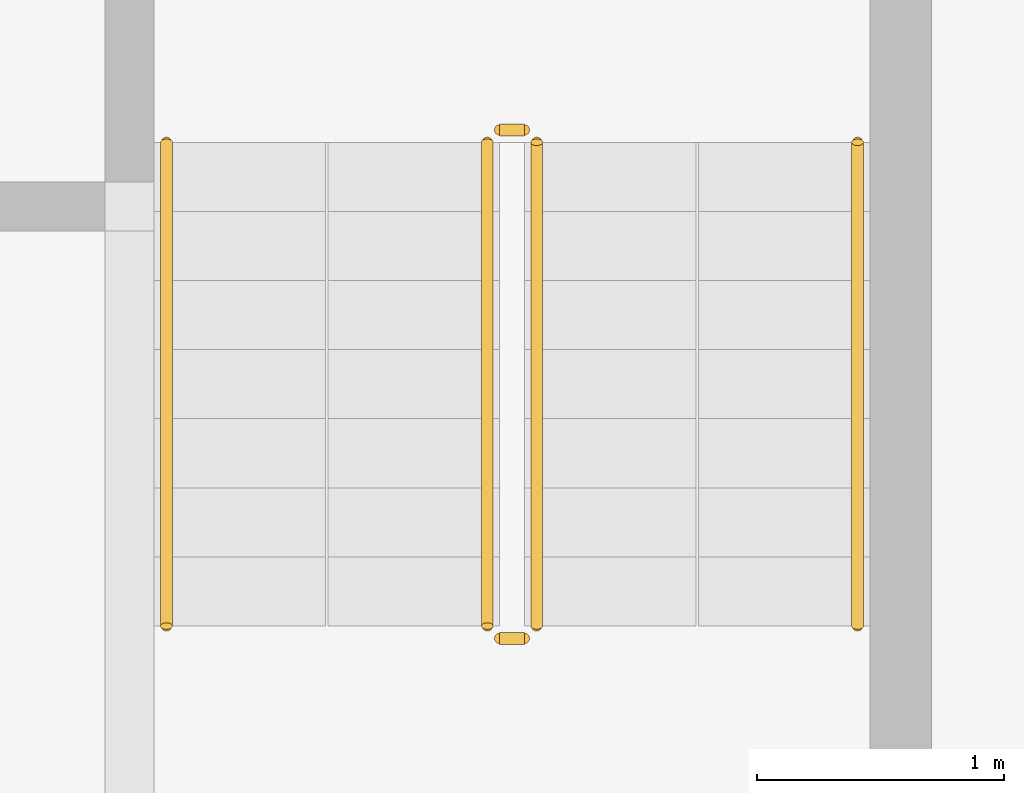
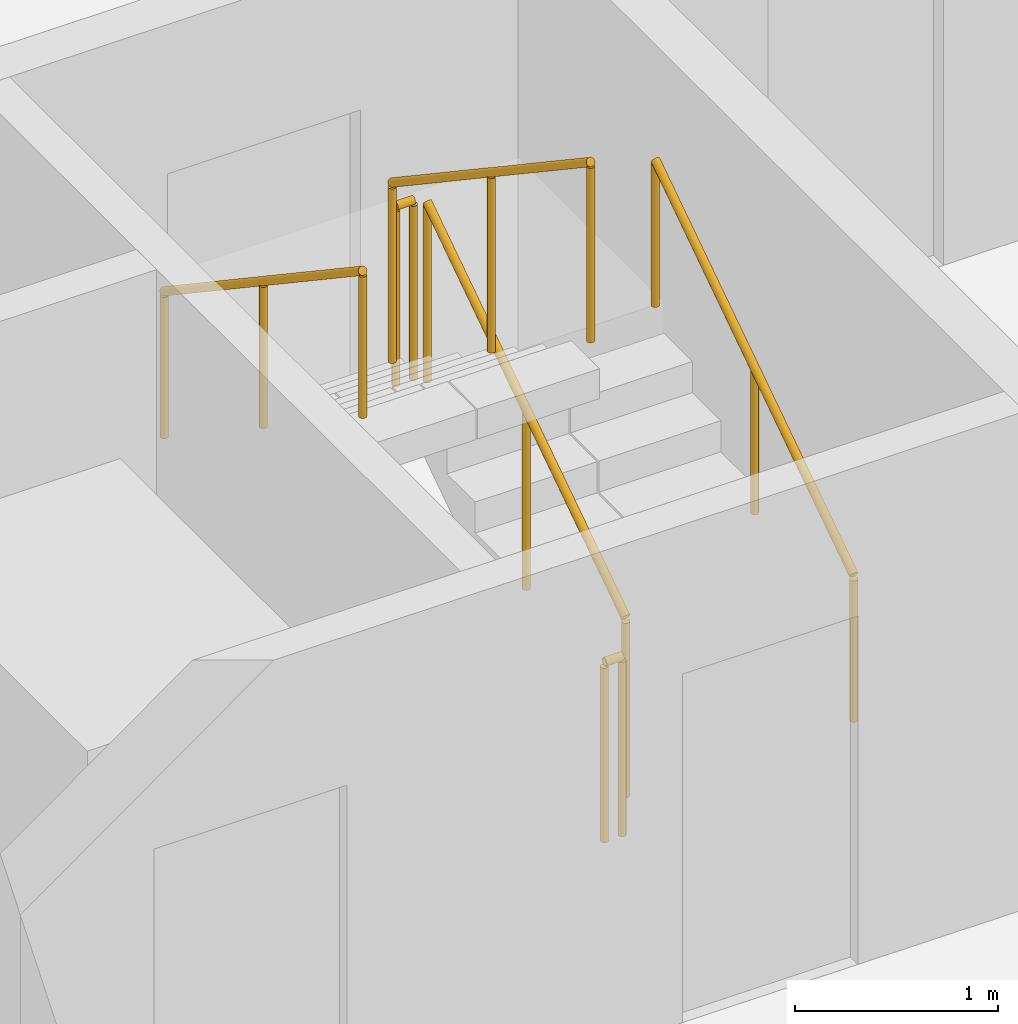
# One storey, part 107 of 112: 6 railings.
"""IFC4 building model written with IfcOpenShell, lengths in metres."""

from ifc_helpers import new_model, si_unit, direction, frame, origin, origin_2d, place, context, subcontext, project, spatial, circle, extrude, material, type_object, element, save


model = new_model("IFC4")

# Units and contexts
model_context = context("Model", 3, precision=1e-05, world=origin(), true_north=direction((0.0, 1.0)))
body_context = subcontext(model_context, "Body", "Model", "MODEL_VIEW")
ifc_project = project(units=[si_unit("LENGTHUNIT", "METRE"), si_unit("AREAUNIT", "SQUARE_METRE"), si_unit("VOLUMEUNIT", "CUBIC_METRE"), si_unit("PLANEANGLEUNIT", "RADIAN"), si_unit("MASSUNIT", "GRAM", prefix="KILO")], contexts=[model_context])

# Site, building, storey
site_placement = place(None, origin())
site = spatial("IfcSite", under=ifc_project, at=site_placement, CompositionType="ELEMENT")
building_placement = place(site_placement, origin())
building = spatial("IfcBuilding", under=site, at=building_placement, Name="Ridgestep Commons", CompositionType="ELEMENT")
storey_placement = place(building_placement, origin())
storey = spatial("IfcBuildingStorey", under=building, at=storey_placement, Name="L00", CompositionType="ELEMENT", Elevation=0.0)

# Railings
ifc_material_1 = material(Name="Structural steel S355JR", Category="steel")
railing_type_1 = type_object("IfcRailingType", Name="Stair guard 1100", PredefinedType="GUARDRAIL", material=ifc_material_1)
railing_1_placement = place(storey_placement, frame((235.324951171875, 73.60009765625, 0.1875)))
element("IfcRailing", 1, at=railing_1_placement, inside=storey, type_object=railing_type_1, Name="L00 C6C stair guard 1", PredefinedType="GUARDRAIL", context=body_context, shape_type="SweptSolid", body=[
    extrude(circle(Radius=0.02392578125, at=origin_2d()), frame((0.0, 0.0, 1.076171875), z_axis=(0.0, 0.830902050051, 0.556418712142), x_axis=(-1.0, 0.0, 0.0)), (0.0, 0.0, 1.0), 2.35888671875),
    extrude(circle(Radius=0.02099609375, at=origin_2d()), origin(), (0.0, 0.0, 1.0), 1.052001953125),
    extrude(circle(Radius=0.02099609375, at=origin_2d()), frame((0.0, 0.97998046875, 0.65625)), (0.0, 0.0, 1.0), 1.052001953125),
    extrude(circle(Radius=0.02099609375, at=origin_2d()), frame((0.0, 1.9599609375, 1.3125)), (0.0, 0.0, 1.0), 1.052001953125),
])
railing_2_placement = place(storey_placement, frame((235.27490234375, 75.610107421875, 1.5)))
element("IfcRailing", 2, at=railing_2_placement, inside=storey, type_object=railing_type_1, Name="L00 C6C stair guard 2", PredefinedType="GUARDRAIL", context=body_context, shape_type="SweptSolid", body=[
    extrude(circle(Radius=0.02392578125, at=origin_2d()), frame((0.0, 0.0, 1.076171875), z_axis=(-1.0, 0.0, 0.0), x_axis=(0.0, -1.0, 0.0)), (0.0, 0.0, 1.0), 0.099853515625),
    extrude(circle(Radius=0.02099609375, at=origin_2d()), origin(), (0.0, 0.0, 1.0), 1.052001953125),
    extrude(circle(Radius=0.02099609375, at=origin_2d()), frame((-0.099853515625, 0.0, 0.0)), (0.0, 0.0, 1.0), 1.052001953125),
])
railing_3_placement = place(storey_placement, frame((235.125, 75.56005859375, 1.6875)))
element("IfcRailing", 3, at=railing_3_placement, inside=storey, type_object=railing_type_1, Name="L00 C6C stair guard 3", PredefinedType="GUARDRAIL", context=body_context, shape_type="SweptSolid", body=[
    extrude(circle(Radius=0.02392578125, at=origin_2d()), frame((0.0, 0.0, 1.076171875), z_axis=(0.0, -0.830902050051, 0.556418712142), x_axis=(1.0, 0.0, 0.0)), (0.0, 0.0, 1.0), 2.35888671875),
    extrude(circle(Radius=0.02099609375, at=origin_2d()), origin(), (0.0, 0.0, 1.0), 1.052001953125),
    extrude(circle(Radius=0.02099609375, at=origin_2d()), frame((0.0, -0.97998046875, 0.65625)), (0.0, 0.0, 1.0), 1.052001953125),
    extrude(circle(Radius=0.02099609375, at=origin_2d()), frame((0.0, -1.9599609375, 1.3125)), (0.0, 0.0, 1.0), 1.052001953125),
])
railing_4_placement = place(storey_placement, frame((235.27490234375, 73.550048828125, 0.0)))
element("IfcRailing", 4, at=railing_4_placement, inside=storey, type_object=railing_type_1, Name="L00 C6C stair guard 4", PredefinedType="GUARDRAIL", context=body_context, shape_type="SweptSolid", body=[
    extrude(circle(Radius=0.02392578125, at=origin_2d()), frame((0.0, 0.0, 1.076171875), z_axis=(-1.0, 0.0, 0.0), x_axis=(0.0, -1.0, 0.0)), (0.0, 0.0, 1.0), 0.099853515625),
    extrude(circle(Radius=0.02099609375, at=origin_2d()), origin(), (0.0, 0.0, 1.0), 1.052001953125),
    extrude(circle(Radius=0.02099609375, at=origin_2d()), frame((-0.099853515625, 0.0, 0.0)), (0.0, 0.0, 1.0), 1.052001953125),
])
ifc_material_2 = material(Name="Structural steel S355JR", Category="steel")
railing_type_2 = type_object("IfcRailingType", Name="Stair handrail 900", PredefinedType="HANDRAIL", material=ifc_material_2)
railing_5_placement = place(storey_placement, frame((236.625, 73.60009765625, 0.1875)))
element("IfcRailing", 5, at=railing_5_placement, inside=storey, type_object=railing_type_2, Name="L00 C6C stair handrail 1", PredefinedType="HANDRAIL", context=body_context, shape_type="SweptSolid", body=[
    extrude(circle(Radius=0.02392578125, at=origin_2d()), frame((0.0, 0.0, 0.8759765625), z_axis=(0.0, 0.830902050051, 0.556418712142), x_axis=(-1.0, 0.0, 0.0)), (0.0, 0.0, 1.0), 2.35888671875),
    extrude(circle(Radius=0.02099609375, at=origin_2d()), origin(), (0.0, 0.0, 1.0), 0.851806640625),
    extrude(circle(Radius=0.02099609375, at=origin_2d()), frame((0.0, 0.97998046875, 0.65625)), (0.0, 0.0, 1.0), 0.851806640625),
    extrude(circle(Radius=0.02099609375, at=origin_2d()), frame((0.0, 1.9599609375, 1.3125)), (0.0, 0.0, 1.0), 0.851806640625),
])
railing_6_placement = place(storey_placement, frame((233.824951171875, 75.56005859375, 1.6875)))
element("IfcRailing", 6, at=railing_6_placement, inside=storey, type_object=railing_type_2, Name="L00 C6C stair handrail 2", PredefinedType="HANDRAIL", context=body_context, shape_type="SweptSolid", body=[
    extrude(circle(Radius=0.02392578125, at=origin_2d()), frame((0.0, 0.0, 0.8759765625), z_axis=(0.0, -0.830902050051, 0.556418712142), x_axis=(1.0, 0.0, 0.0)), (0.0, 0.0, 1.0), 2.35888671875),
    extrude(circle(Radius=0.02099609375, at=origin_2d()), origin(), (0.0, 0.0, 1.0), 0.851806640625),
    extrude(circle(Radius=0.02099609375, at=origin_2d()), frame((0.0, -0.97998046875, 0.65625)), (0.0, 0.0, 1.0), 0.851806640625),
    extrude(circle(Radius=0.02099609375, at=origin_2d()), frame((0.0, -1.9599609375, 1.3125)), (0.0, 0.0, 1.0), 0.851806640625),
])

save(model, "model.ifc")
